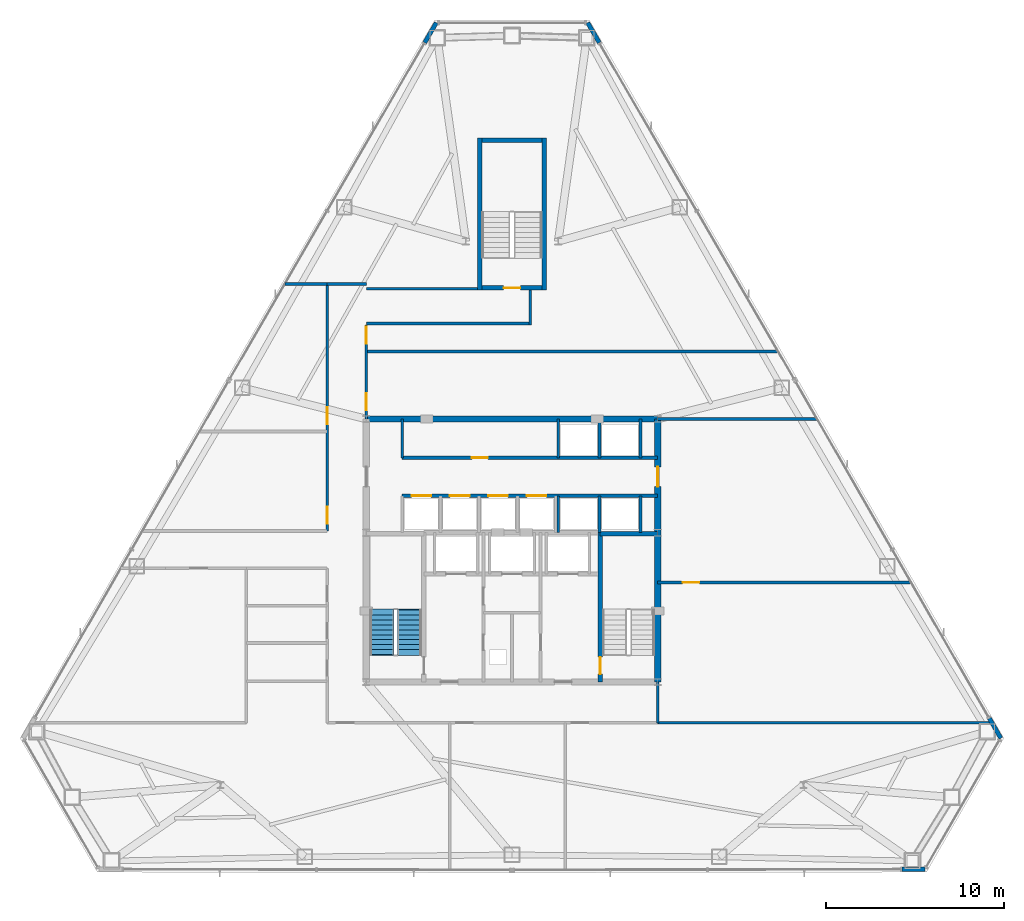
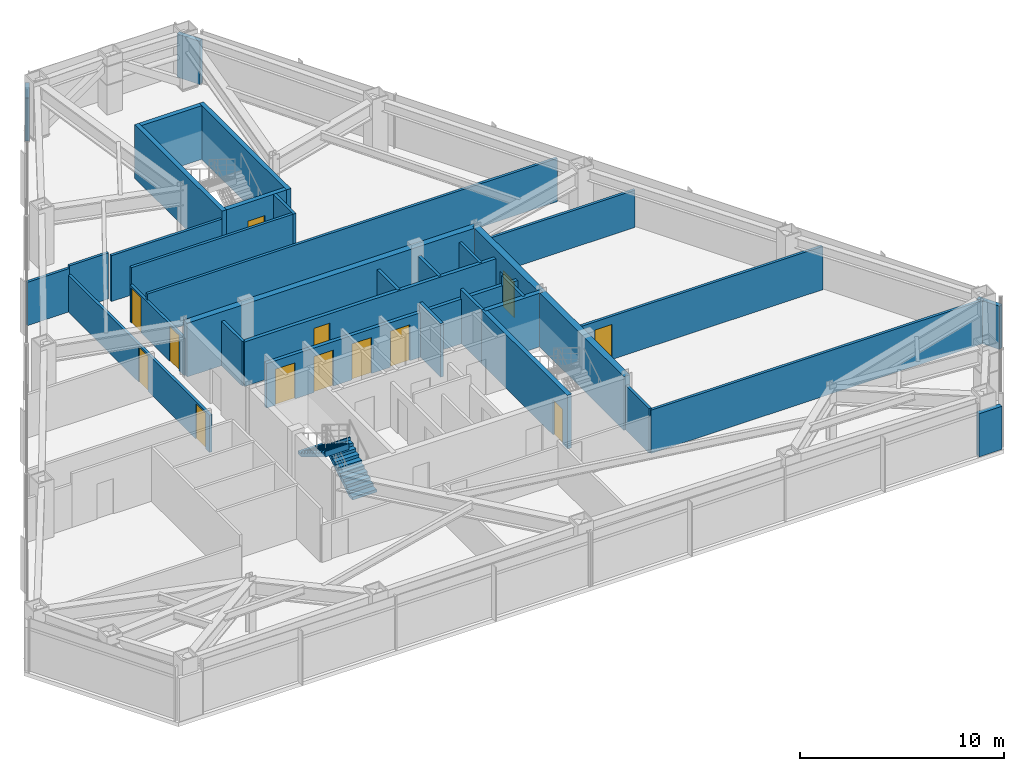
# One storey, part 11 of 13: 33 walls, 13 doors, 2 stair flights, 13 openings, 1 element without a shape of its own.
"""IFC4 building model written with IfcOpenShell, lengths in metres."""

from ifc_helpers import new_model, si_unit, direction, frame, frame_2d, origin, place, context, subcontext, project, spatial, polyline, rectangle, outline, extrude, material, layer, layer_set, type_object, element, fill, aggregate, save


model = new_model("IFC4")

# Units and contexts
model_context = context("Model", 3, precision=1e-05, world=origin(), true_north=direction((0.0, 1.0)))
body_context = subcontext(model_context, "Body", "Model", "MODEL_VIEW")
ifc_project = project(units=[si_unit("LENGTHUNIT", "METRE"), si_unit("AREAUNIT", "SQUARE_METRE"), si_unit("VOLUMEUNIT", "CUBIC_METRE"), si_unit("PLANEANGLEUNIT", "RADIAN"), si_unit("MASSUNIT", "GRAM", prefix="KILO")], contexts=[model_context])

# Site, building, storey
site_placement = place(None, origin())
site = spatial("IfcSite", under=ifc_project, at=site_placement, CompositionType="ELEMENT")
building_placement = place(site_placement, origin())
building = spatial("IfcBuilding", under=site, at=building_placement, Name="Varakhsha Concourse Tower", CompositionType="ELEMENT")
storey_placement = place(building_placement, frame((0.0, 0.0, 126.35009765625)))
storey = spatial("IfcBuildingStorey", under=building, at=storey_placement, Name="L36", CompositionType="ELEMENT", Elevation=126.35009765625)

# Wall
ifc_material_1 = material(Name="Concrete fc 65 MPa", Category="concrete")
ifc_layer_1 = layer(ifc_material_1, 0.35009765625, Name="WL-CORE-350")
ifc_layer_set_1 = layer_set([ifc_layer_1], Name="Concrete fc 65 MPa")
wall_type_1 = type_object("IfcWallType", Name="WL-CORE-350", PredefinedType="SHEAR", material=ifc_layer_set_1)
wall_1_placement = place(storey_placement, frame((31.800048828125, 31.199951171875, 0.0), z_axis=(0.0, 0.0, 1.0), x_axis=(1.0, 0.0, 0.0)))
element("IfcWall", 1, at=wall_1_placement, inside=storey, type_object=wall_type_1, Name="L36 Wall CWALL-N-L36", PredefinedType="SHEAR", context=body_context, shape_type="SweptSolid", body=[
    extrude(rectangle(XDim=16.39990234375, YDim=0.35009765625, at=frame_2d((8.199951171875, 0.0))), origin(), (0.0, 0.0, 1.0), 3.2099609375),
])

# Wall, opening, door
wall_2_placement = place(storey_placement, frame((48.199951171875, 16.39990234375, 0.0), z_axis=(0.0, 0.0, 1.0), x_axis=(0.0, 1.0, 0.0)))
wall_2 = element("IfcWall", 2, at=wall_2_placement, inside=storey, type_object=wall_type_1, Name="L36 Wall CWALL-E-L36", PredefinedType="SHEAR", context=body_context, shape_type="SweptSolid", body=[
    extrude(rectangle(XDim=14.800048828125, YDim=0.35009765625, at=frame_2d((7.39990234375, 0.0))), origin(), (0.0, 0.0, 1.0), 3.2099609375),
])
opening_1_placement = place(wall_2_placement, frame((11.0, 0.0, 0.0)))
opening_1 = element("IfcOpeningElement", 3, at=opening_1_placement, cuts=wall_2, Name="Opening DL-01", PredefinedType="OPENING", context=body_context, shape_type="SweptSolid", body=[
    extrude(rectangle(XDim=1.10009765625, YDim=2.14990234375, at=frame_2d((0.550048828125, 1.074951171875))), frame((0.0, 0.18505859375, 0.0), z_axis=(0.0, -1.0, 0.0), x_axis=(1.0, 0.0, 0.0)), (0.0, 0.0, 1.0), 0.3701171875),
])
ifc_material_2 = material(Name="Anodised Bronze Architectural Aluminium AA 6063-T6", Category="aluminium")
door_type_1 = type_object("IfcDoorType", Name="DR-LOB-1100", OperationType="NOTDEFINED", PredefinedType="DOOR", material=ifc_material_2)
door_1_placement = place(opening_1_placement, origin())
door_1 = element("IfcDoor", 4, at=door_1_placement, inside=storey, type_object=door_type_1, Name="L36 Lift Lobby East Concourse Door", OperationType="SINGLE_SWING_RIGHT", OverallHeight=2.14990234375, OverallWidth=1.10009765625, PredefinedType="DOOR", context=body_context, shape_type="SweptSolid", body=[
    extrude(rectangle(XDim=1.10009765625, YDim=2.14990234375, at=frame_2d((0.550048828125, 1.074951171875))), frame((0.0, 0.02490234375, 0.0), z_axis=(0.0, -1.0, 0.0), x_axis=(1.0, 0.0, 0.0)), (0.0, 0.0, 1.0), 0.050048828125),
])
fill(opening_1, door_1)

# Walls
ifc_material_3 = material(Name="Concrete fc 45 MPa", Category="concrete")
ifc_layer_2 = layer(ifc_material_3, 0.239990234375, Name="WL-EXT-CRN-240")
ifc_layer_set_2 = layer_set([ifc_layer_2], Name="Concrete fc 45 MPa")
wall_type_2 = type_object("IfcWallType", Name="WL-EXT-CRN-240", PredefinedType="SHEAR", material=ifc_layer_set_2)
wall_3_placement = place(storey_placement, frame((35.74072265625, 53.5029296875, 0.0), z_axis=(0.0, 0.0, 1.0), x_axis=(-0.501501953854, -0.865156512014, 0.0)))
element("IfcWall", 5, at=wall_3_placement, inside=storey, type_object=wall_type_2, Name="L36 Wind-Corner Shoulder Wall F2", PredefinedType="SHEAR", context=body_context, shape_type="SweptSolid", body=[
    extrude(rectangle(XDim=1.3017578125, YDim=0.239990234375, at=frame_2d((0.65087890625, 0.0))), origin(), (0.0, 0.0, 1.0), 2.5830078125),
])
wall_4_placement = place(storey_placement, frame((61.94580078125, 5.857666015625, 0.0), z_axis=(0.0, 0.0, 1.0), x_axis=(0.999998574928, 0.001688236199, 0.0)))
element("IfcWall", 6, at=wall_4_placement, inside=storey, type_object=wall_type_2, Name="L36 Wind-Corner Shoulder Wall F6", PredefinedType="SHEAR", context=body_context, shape_type="SweptSolid", body=[
    extrude(rectangle(XDim=1.301513671875, YDim=0.239990234375, at=frame_2d((0.65087890625, 0.0))), origin(), (0.0, 0.0, 1.0), 2.5830078125),
])
wall_5_placement = place(storey_placement, frame((67.506591796875, 13.2373046875, 0.0), z_axis=(0.0, 0.0, 1.0), x_axis=(-0.498460550087, 0.86691238312, 0.0)))
element("IfcWall", 7, at=wall_5_placement, inside=storey, type_object=wall_type_2, Name="L36 Wind-Corner Shoulder Wall F8", PredefinedType="SHEAR", context=body_context, shape_type="SweptSolid", body=[
    extrude(rectangle(XDim=1.30126953125, YDim=0.239990234375, at=frame_2d((0.650634765625, 0.0))), origin(), (0.0, 0.0, 1.0), 2.5830078125),
])
wall_6_placement = place(storey_placement, frame((44.912109375, 52.376708984375, 0.0), z_axis=(0.0, 0.0, 1.0), x_axis=(-0.501501953854, 0.865156512014, 0.0)))
element("IfcWall", 8, at=wall_6_placement, inside=storey, type_object=wall_type_2, Name="L36 Wind-Corner Shoulder Wall F9", PredefinedType="SHEAR", context=body_context, shape_type="SweptSolid", body=[
    extrude(rectangle(XDim=1.3017578125, YDim=0.239990234375, at=frame_2d((0.65087890625, 0.0))), origin(), (0.0, 0.0, 1.0), 2.5830078125),
])
ifc_material_4 = material(Name="Fire-Rated Type X Gypsum Partition Assembly", Category="gypsum")
ifc_layer_3 = layer(ifc_material_4, 0.14990234375, Name="WL-PART-150")
ifc_layer_set_3 = layer_set([ifc_layer_3], Name="Fire-Rated Type X Gypsum Partition Assembly")
wall_type_3 = type_object("IfcWallType", Name="WL-PART-150", PredefinedType="PARTITIONING", material=ifc_layer_set_3)
wall_7_placement = place(storey_placement, frame((48.199951171875, 14.10009765625, 0.0), z_axis=(0.0, 0.0, 1.0), x_axis=(0.0, 1.0, 0.0)))
element("IfcWall", 9, at=wall_7_placement, inside=storey, type_object=wall_type_3, Name="L36 Wall CRW-SE-L36", PredefinedType="PARTITIONING", context=body_context, shape_type="SweptSolid", body=[
    extrude(rectangle(XDim=2.2998046875, YDim=0.14990234375, at=frame_2d((1.14990234375, 0.0))), origin(), (0.0, 0.0, 1.0), 2.660888671875),
])

# Wall, openings, doors
wall_8_placement = place(storey_placement, frame((29.60009765625, 24.89990234375, 0.0), z_axis=(0.0, 0.0, 1.0), x_axis=(0.0, 1.0, 0.0)))
wall_8 = element("IfcWall", 10, at=wall_8_placement, inside=storey, type_object=wall_type_3, Name="L36 Wall CRW-WN-L36", PredefinedType="PARTITIONING", context=body_context, shape_type="SweptSolid", body=[
    extrude(rectangle(XDim=13.900146484375, YDim=0.14990234375, at=frame_2d((6.9501953125, 0.0))), origin(), (0.0, 0.0, 1.0), 2.224853515625),
])
opening_2_placement = place(wall_8_placement, frame((0.39990234375, 0.0, 0.0)))
opening_2 = element("IfcOpeningElement", 11, at=opening_2_placement, cuts=wall_8, Name="Opening DF-05", PredefinedType="OPENING", context=body_context, shape_type="SweptSolid", body=[
    extrude(rectangle(XDim=0.949951171875, YDim=2.10009765625, at=frame_2d((0.47509765625, 1.050048828125))), frame((0.0, 0.0849609375, 0.0), z_axis=(0.0, -1.0, 0.0), x_axis=(1.0, 0.0, 0.0)), (0.0, 0.0, 1.0), 0.169921875),
])
opening_3_placement = place(wall_8_placement, frame((6.0, 0.0, 0.0)))
opening_3 = element("IfcOpeningElement", 12, at=opening_3_placement, cuts=wall_8, Name="Opening DF-05", PredefinedType="OPENING", context=body_context, shape_type="SweptSolid", body=[
    extrude(rectangle(XDim=0.949951171875, YDim=2.10009765625, at=frame_2d((0.47509765625, 1.050048828125))), frame((0.0, 0.0849609375, 0.0), z_axis=(0.0, -1.0, 0.0), x_axis=(1.0, 0.0, 0.0)), (0.0, 0.0, 1.0), 0.169921875),
])
ifc_material_5 = material(Name="Hollow Galvanised Steel Fire Door Assembly", Category="steel")
door_type_2 = type_object("IfcDoorType", Name="DR-FD60-950", OperationType="NOTDEFINED", PredefinedType="DOOR", material=ifc_material_5)
door_2_placement = place(opening_2_placement, origin())
door_2 = element("IfcDoor", 13, at=door_2_placement, inside=storey, type_object=door_type_2, Name="L36 Client Briefing Studio L36-NW Door", OperationType="SINGLE_SWING_RIGHT", OverallHeight=2.10009765625, OverallWidth=0.949951171875, PredefinedType="DOOR", context=body_context, shape_type="SweptSolid", body=[
    extrude(rectangle(XDim=0.949951171875, YDim=2.10009765625, at=frame_2d((0.47509765625, 1.050048828125))), frame((0.0, 0.02490234375, 0.0), z_axis=(0.0, -1.0, 0.0), x_axis=(1.0, 0.0, 0.0)), (0.0, 0.0, 1.0), 0.050048828125),
])
fill(opening_2, door_2)
door_3_placement = place(opening_3_placement, origin())
door_3 = element("IfcDoor", 14, at=door_3_placement, inside=storey, type_object=door_type_2, Name="L36 Strategic Advisory Office Suite L36-W2 Door", OperationType="SINGLE_SWING_LEFT", OverallHeight=2.10009765625, OverallWidth=0.949951171875, PredefinedType="DOOR", context=body_context, shape_type="SweptSolid", body=[
    extrude(rectangle(XDim=0.949951171875, YDim=2.10009765625, at=frame_2d((0.47509765625, 1.050048828125))), frame((0.0, 0.02490234375, 0.0), z_axis=(0.0, -1.0, 0.0), x_axis=(1.0, 0.0, 0.0)), (0.0, 0.0, 1.0), 0.050048828125),
])
fill(opening_3, door_3)

wall_9_placement = place(storey_placement, frame((31.800048828125, 31.199951171875, 0.0), z_axis=(0.0, 0.0, 1.0), x_axis=(0.0, 1.0, 0.0)))
wall_9 = element("IfcWall", 15, at=wall_9_placement, inside=storey, type_object=wall_type_3, Name="L36 Wall CRW-NE-L36", PredefinedType="PARTITIONING", context=body_context, shape_type="SweptSolid", body=[
    extrude(rectangle(XDim=5.300048828125, YDim=0.14990234375, at=frame_2d((2.64990234375, 0.0))), origin(), (0.0, 0.0, 1.0), 2.224853515625),
])
opening_4_placement = place(wall_9_placement, frame((0.5, 0.0, 0.0)))
opening_4 = element("IfcOpeningElement", 16, at=opening_4_placement, cuts=wall_9, Name="Opening DF-05", PredefinedType="OPENING", context=body_context, shape_type="SweptSolid", body=[
    extrude(rectangle(XDim=0.949951171875, YDim=2.10009765625, at=frame_2d((0.47509765625, 1.050048828125))), frame((0.0, 0.0849609375, 0.0), z_axis=(0.0, -1.0, 0.0), x_axis=(1.0, 0.0, 0.0)), (0.0, 0.0, 1.0), 0.169921875),
])
opening_5_placement = place(wall_9_placement, frame((4.22998046875, 0.0, 0.0)))
opening_5 = element("IfcOpeningElement", 17, at=opening_5_placement, cuts=wall_9, Name="Opening DF-05", PredefinedType="OPENING", context=body_context, shape_type="SweptSolid", body=[
    extrude(rectangle(XDim=0.949951171875, YDim=2.10009765625, at=frame_2d((0.47509765625, 1.050048828125))), frame((0.0, 0.0849609375, 0.0), z_axis=(0.0, -1.0, 0.0), x_axis=(1.0, 0.0, 0.0)), (0.0, 0.0, 1.0), 0.169921875),
])
door_4_placement = place(opening_4_placement, origin())
door_4 = element("IfcDoor", 18, at=door_4_placement, inside=storey, type_object=door_type_2, Name="L36 Mountain View Project Controls Workroom L36-NE1 Door", OperationType="SINGLE_SWING_RIGHT", OverallHeight=2.10009765625, OverallWidth=0.949951171875, PredefinedType="DOOR", context=body_context, shape_type="SweptSolid", body=[
    extrude(rectangle(XDim=0.949951171875, YDim=2.10009765625, at=frame_2d((0.47509765625, 1.050048828125))), frame((0.0, 0.02490234375, 0.0), z_axis=(0.0, -1.0, 0.0), x_axis=(1.0, 0.0, 0.0)), (0.0, 0.0, 1.0), 0.050048828125),
])
fill(opening_4, door_4)
door_5_placement = place(opening_5_placement, origin())
door_5 = element("IfcDoor", 19, at=door_5_placement, inside=storey, type_object=door_type_2, Name="L36 Apex Strategic Advisory Office Suite L36-NE2 Door", OperationType="SINGLE_SWING_RIGHT", OverallHeight=2.10009765625, OverallWidth=0.949951171875, PredefinedType="DOOR", context=body_context, shape_type="SweptSolid", body=[
    extrude(rectangle(XDim=0.949951171875, YDim=2.10009765625, at=frame_2d((0.47509765625, 1.050048828125))), frame((0.0, 0.02490234375, 0.0), z_axis=(0.0, -1.0, 0.0), x_axis=(1.0, 0.0, 0.0)), (0.0, 0.0, 1.0), 0.050048828125),
])
fill(opening_5, door_5)

# Walls
wall_10_placement = place(storey_placement, frame((29.60009765625, 38.800048828125, 0.0), z_axis=(0.0, 0.0, 1.0), x_axis=(1.0, 0.0, 0.0)))
element("IfcWall", 20, at=wall_10_placement, inside=storey, type_object=wall_type_3, Name="L36 Wall CRW-NCAP-L36", PredefinedType="PARTITIONING", context=body_context, shape_type="SweptSolid", body=[
    extrude(rectangle(XDim=2.199951171875, YDim=0.14990234375, at=frame_2d((1.10009765625, 0.0))), origin(), (0.0, 0.0, 1.0), 2.742919921875),
])
wall_11_placement = place(storey_placement, frame((27.223388671875, 38.800048828125, 0.0), z_axis=(0.0, 0.0, 1.0), x_axis=(1.0, 0.0, 0.0)))
element("IfcWall", 21, at=wall_11_placement, inside=storey, type_object=wall_type_3, Name="L36 Wall ODIV-NWT-L36", PredefinedType="PARTITIONING", context=body_context, shape_type="SweptSolid", body=[
    extrude(rectangle(XDim=2.376708984375, YDim=0.14990234375, at=frame_2d((1.1884765625, 0.0))), origin(), (0.0, 0.0, 1.0), 2.5888671875),
])
wall_12_placement = place(storey_placement, frame((48.199951171875, 31.199951171875, 0.0), z_axis=(0.0, 0.0, 1.0), x_axis=(1.0, 0.0, 0.0)))
element("IfcWall", 22, at=wall_12_placement, inside=storey, type_object=wall_type_3, Name="L36 Wall ODIV-NEB-L36", PredefinedType="PARTITIONING", context=body_context, shape_type="SweptSolid", body=[
    extrude(rectangle(XDim=8.971923828125, YDim=0.14990234375, at=frame_2d((4.48583984375, 0.0))), origin(), (0.0, 0.0, 1.0), 2.224853515625),
])
wall_13_placement = place(storey_placement, frame((31.800048828125, 35.0, 0.0), z_axis=(0.0, 0.0, 1.0), x_axis=(1.0, 0.0, 0.0)))
element("IfcWall", 23, at=wall_13_placement, inside=storey, type_object=wall_type_3, Name="L36 Wall ODIV-NE1-L36", PredefinedType="PARTITIONING", context=body_context, shape_type="SweptSolid", body=[
    extrude(rectangle(XDim=23.17919921875, YDim=0.14990234375, at=frame_2d((11.589599609375, 0.0))), origin(), (0.0, 0.0, 1.0), 2.5888671875),
])
wall_14_placement = place(storey_placement, frame((48.199951171875, 14.10009765625, 0.0), z_axis=(0.0, 0.0, 1.0), x_axis=(1.0, 0.0, 0.0)))
element("IfcWall", 24, at=wall_14_placement, inside=storey, type_object=wall_type_3, Name="L36 Wall ODIV-EB0-L36", PredefinedType="PARTITIONING", context=body_context, shape_type="SweptSolid", body=[
    extrude(rectangle(XDim=18.804931640625, YDim=0.14990234375, at=frame_2d((9.40234375, 0.0))), origin(), (0.0, 0.0, 1.0), 2.5888671875),
])

# Wall, opening, door
wall_15_placement = place(storey_placement, frame((48.199951171875, 22.0, 0.0), z_axis=(0.0, 0.0, 1.0), x_axis=(1.0, 0.0, 0.0)))
wall_15 = element("IfcWall", 25, at=wall_15_placement, inside=storey, type_object=wall_type_3, Name="L36 Wall ODIV-E1-L36", PredefinedType="PARTITIONING", context=body_context, shape_type="SweptSolid", body=[
    extrude(rectangle(XDim=14.26220703125, YDim=0.14990234375, at=frame_2d((7.131103515625, 0.0))), origin(), (0.0, 0.0, 1.0), 2.5888671875),
])
opening_6_placement = place(wall_15_placement, frame((1.39990234375, 0.0, 0.0)))
opening_6 = element("IfcOpeningElement", 26, at=opening_6_placement, cuts=wall_15, Name="Opening DF-05", PredefinedType="OPENING", context=body_context, shape_type="SweptSolid", body=[
    extrude(rectangle(XDim=0.949951171875, YDim=2.10009765625, at=frame_2d((0.47509765625, 1.050048828125))), frame((0.0, 0.0849609375, 0.0), z_axis=(0.0, -1.0, 0.0), x_axis=(1.0, 0.0, 0.0)), (0.0, 0.0, 1.0), 0.169921875),
])
door_6_placement = place(opening_6_placement, origin())
door_6 = element("IfcDoor", 27, at=door_6_placement, inside=storey, type_object=door_type_2, Name="L36 East Suite Interconnect Door 1", OperationType="SINGLE_SWING_LEFT", OverallHeight=2.10009765625, OverallWidth=0.949951171875, PredefinedType="DOOR", context=body_context, shape_type="SweptSolid", body=[
    extrude(rectangle(XDim=0.949951171875, YDim=2.10009765625, at=frame_2d((0.47509765625, 1.050048828125))), frame((0.0, 0.02490234375, 0.0), z_axis=(0.0, -1.0, 0.0), x_axis=(1.0, 0.0, 0.0)), (0.0, 0.0, 1.0), 0.050048828125),
])
fill(opening_6, door_6)

# Walls
wall_16_placement = place(storey_placement, frame((31.800048828125, 36.574951171875, 0.0), z_axis=(0.0, 0.0, 1.0), x_axis=(1.0, 0.0, 0.0)))
element("IfcWall", 28, at=wall_16_placement, inside=storey, type_object=wall_type_3, Name="L36 Wall STLK-S-L36", PredefinedType="PARTITIONING", context=body_context, shape_type="SweptSolid", body=[
    extrude(rectangle(XDim=9.14990234375, YDim=0.14990234375, at=frame_2d((4.574951171875, 0.0))), origin(), (0.0, 0.0, 1.0), 3.2099609375),
])
wall_17_placement = place(storey_placement, frame((31.800048828125, 38.52490234375, 0.0), z_axis=(0.0, 0.0, 1.0), x_axis=(1.0, 0.0, 0.0)))
element("IfcWall", 29, at=wall_17_placement, inside=storey, type_object=wall_type_3, Name="L36 Wall STLK-N-L36", PredefinedType="PARTITIONING", context=body_context, shape_type="SweptSolid", body=[
    extrude(rectangle(XDim=6.25, YDim=0.14990234375, at=frame_2d((3.125, 0.0))), origin(), (0.0, 0.0, 1.0), 2.742919921875),
])
wall_18_placement = place(storey_placement, frame((41.02490234375, 36.5, 0.0), z_axis=(0.0, 0.0, 1.0), x_axis=(0.0, 1.0, 0.0)))
element("IfcWall", 30, at=wall_18_placement, inside=storey, type_object=wall_type_3, Name="L36 Wall STLK-E-L36", PredefinedType="PARTITIONING", context=body_context, shape_type="SweptSolid", body=[
    extrude(rectangle(XDim=1.949951171875, YDim=0.14990234375, at=frame_2d((0.97509765625, 0.0))), origin(), (0.0, 0.0, 1.0), 3.2099609375),
])

# Wall, opening, door
ifc_layer_4 = layer(ifc_material_4, 0.199951171875, Name="WL-SHAFT-220")
ifc_layer_set_4 = layer_set([ifc_layer_4], Name="Fire-Rated Type X Gypsum Partition Assembly")
wall_type_4 = type_object("IfcWallType", Name="WL-SHAFT-220", PredefinedType="SOLIDWALL", material=ifc_layer_set_4)
wall_19_placement = place(storey_placement, frame((33.820068359375, 29.02001953125, 0.0), z_axis=(0.0, 0.0, 1.0), x_axis=(1.0, 0.0, 0.0)))
wall_19 = element("IfcWall", 31, at=wall_19_placement, inside=storey, type_object=wall_type_4, Name="L36 Wall PLW-N-L36", PredefinedType="SOLIDWALL", context=body_context, shape_type="SweptSolid", body=[
    extrude(rectangle(XDim=14.3798828125, YDim=0.199951171875, at=frame_2d((7.18994140625, 0.0))), origin(), (0.0, 0.0, 1.0), 2.660888671875),
])
opening_7_placement = place(wall_19_placement, frame((3.919921875, 0.0, 0.0)))
opening_7 = element("IfcOpeningElement", 32, at=opening_7_placement, cuts=wall_19, Name="Opening DF-06", PredefinedType="OPENING", context=body_context, shape_type="SweptSolid", body=[
    extrude(rectangle(XDim=0.89990234375, YDim=2.10009765625, at=frame_2d((0.449951171875, 1.050048828125))), frame((0.0, 0.10986328125, 0.0), z_axis=(0.0, -1.0, 0.0), x_axis=(1.0, 0.0, 0.0)), (0.0, 0.0, 1.0), 0.219970703125),
])
door_type_3 = type_object("IfcDoorType", Name="DR-FD60-900", OperationType="NOTDEFINED", PredefinedType="DOOR", material=ifc_material_5)
door_7_placement = place(opening_7_placement, origin())
door_7 = element("IfcDoor", 33, at=door_7_placement, inside=storey, type_object=door_type_3, Name="L36 Tenant Archive and IT Server Room Door", OperationType="SINGLE_SWING_LEFT", OverallHeight=2.10009765625, OverallWidth=0.89990234375, PredefinedType="DOOR", context=body_context, shape_type="SweptSolid", body=[
    extrude(rectangle(XDim=0.89990234375, YDim=2.10009765625, at=frame_2d((0.449951171875, 1.050048828125))), frame((0.0, 0.02490234375, 0.0), z_axis=(0.0, -1.0, 0.0), x_axis=(1.0, 0.0, 0.0)), (0.0, 0.0, 1.0), 0.050048828125),
])
fill(opening_7, door_7)

# Wall, openings, doors
wall_20_placement = place(storey_placement, frame((33.820068359375, 26.8798828125, 0.0), z_axis=(0.0, 0.0, 1.0), x_axis=(1.0, 0.0, 0.0)))
wall_20 = element("IfcWall", 34, at=wall_20_placement, inside=storey, type_object=wall_type_4, Name="L36 Wall PLW-S-L36", PredefinedType="SOLIDWALL", context=body_context, shape_type="SweptSolid", body=[
    extrude(rectangle(XDim=14.3798828125, YDim=0.199951171875, at=frame_2d((7.18994140625, 0.0))), origin(), (0.0, 0.0, 1.0), 2.660888671875),
])
opening_8_placement = place(wall_20_placement, frame((0.530029296875, 0.0, 0.0)))
opening_8 = element("IfcOpeningElement", 35, at=opening_8_placement, cuts=wall_20, Name="Opening LD-LF-P05", PredefinedType="OPENING", context=body_context, shape_type="SweptSolid", body=[
    extrude(rectangle(XDim=1.10009765625, YDim=2.14990234375, at=frame_2d((0.550048828125, 1.074951171875))), frame((0.0, 0.10986328125, 0.0), z_axis=(0.0, -1.0, 0.0), x_axis=(1.0, 0.0, 0.0)), (0.0, 0.0, 1.0), 0.219970703125),
])
opening_9_placement = place(wall_20_placement, frame((2.68994140625, 0.0, 0.0)))
opening_9 = element("IfcOpeningElement", 36, at=opening_9_placement, cuts=wall_20, Name="Opening LD-LF-P06", PredefinedType="OPENING", context=body_context, shape_type="SweptSolid", body=[
    extrude(rectangle(XDim=1.10009765625, YDim=2.14990234375, at=frame_2d((0.550048828125, 1.074951171875))), frame((0.0, 0.10986328125, 0.0), z_axis=(0.0, -1.0, 0.0), x_axis=(1.0, 0.0, 0.0)), (0.0, 0.0, 1.0), 0.219970703125),
])
opening_10_placement = place(wall_20_placement, frame((4.85009765625, 0.0, 0.0)))
opening_10 = element("IfcOpeningElement", 37, at=opening_10_placement, cuts=wall_20, Name="Opening LD-LF-P07", PredefinedType="OPENING", context=body_context, shape_type="SweptSolid", body=[
    extrude(rectangle(XDim=1.10009765625, YDim=2.14990234375, at=frame_2d((0.550048828125, 1.074951171875))), frame((0.0, 0.10986328125, 0.0), z_axis=(0.0, -1.0, 0.0), x_axis=(1.0, 0.0, 0.0)), (0.0, 0.0, 1.0), 0.219970703125),
])
opening_11_placement = place(wall_20_placement, frame((7.010009765625, 0.0, 0.0)))
opening_11 = element("IfcOpeningElement", 38, at=opening_11_placement, cuts=wall_20, Name="Opening LD-LF-P08", PredefinedType="OPENING", context=body_context, shape_type="SweptSolid", body=[
    extrude(rectangle(XDim=1.10009765625, YDim=2.14990234375, at=frame_2d((0.550048828125, 1.074951171875))), frame((0.0, 0.10986328125, 0.0), z_axis=(0.0, -1.0, 0.0), x_axis=(1.0, 0.0, 0.0)), (0.0, 0.0, 1.0), 0.219970703125),
])
ifc_material_6 = material(Name="Brushed Austenitic Stainless Steel AISI 316", Category="steel")
door_type_4 = type_object("IfcDoorType", Name="DR-LD-1100", OperationType="DOUBLE_DOOR_SLIDING", PredefinedType="DOOR", material=ifc_material_6)
door_8_placement = place(opening_8_placement, origin())
door_8 = element("IfcDoor", 39, at=door_8_placement, inside=storey, type_object=door_type_4, Name="Lift Landing Door LF-P05 L36", OperationType="DOUBLE_DOOR_SLIDING", OverallHeight=2.14990234375, OverallWidth=1.10009765625, PredefinedType="DOOR", context=body_context, shape_type="SweptSolid", body=[
    extrude(rectangle(XDim=1.10009765625, YDim=2.14990234375, at=frame_2d((0.550048828125, 1.074951171875))), frame((0.0, 0.02490234375, 0.0), z_axis=(0.0, -1.0, 0.0), x_axis=(1.0, 0.0, 0.0)), (0.0, 0.0, 1.0), 0.050048828125),
])
fill(opening_8, door_8)
door_9_placement = place(opening_9_placement, origin())
door_9 = element("IfcDoor", 40, at=door_9_placement, inside=storey, type_object=door_type_4, Name="Lift Landing Door LF-P06 L36", OperationType="DOUBLE_DOOR_SLIDING", OverallHeight=2.14990234375, OverallWidth=1.10009765625, PredefinedType="DOOR", context=body_context, shape_type="SweptSolid", body=[
    extrude(rectangle(XDim=1.10009765625, YDim=2.14990234375, at=frame_2d((0.550048828125, 1.074951171875))), frame((0.0, 0.02490234375, 0.0), z_axis=(0.0, -1.0, 0.0), x_axis=(1.0, 0.0, 0.0)), (0.0, 0.0, 1.0), 0.050048828125),
])
fill(opening_9, door_9)
door_10_placement = place(opening_10_placement, origin())
door_10 = element("IfcDoor", 41, at=door_10_placement, inside=storey, type_object=door_type_4, Name="Lift Landing Door LF-P07 L36", OperationType="DOUBLE_DOOR_SLIDING", OverallHeight=2.14990234375, OverallWidth=1.10009765625, PredefinedType="DOOR", context=body_context, shape_type="SweptSolid", body=[
    extrude(rectangle(XDim=1.10009765625, YDim=2.14990234375, at=frame_2d((0.550048828125, 1.074951171875))), frame((0.0, 0.02490234375, 0.0), z_axis=(0.0, -1.0, 0.0), x_axis=(1.0, 0.0, 0.0)), (0.0, 0.0, 1.0), 0.050048828125),
])
fill(opening_10, door_10)
door_11_placement = place(opening_11_placement, origin())
door_11 = element("IfcDoor", 42, at=door_11_placement, inside=storey, type_object=door_type_4, Name="Lift Landing Door LF-P08 L36", OperationType="DOUBLE_DOOR_SLIDING", OverallHeight=2.14990234375, OverallWidth=1.10009765625, PredefinedType="DOOR", context=body_context, shape_type="SweptSolid", body=[
    extrude(rectangle(XDim=1.10009765625, YDim=2.14990234375, at=frame_2d((0.550048828125, 1.074951171875))), frame((0.0, 0.02490234375, 0.0), z_axis=(0.0, -1.0, 0.0), x_axis=(1.0, 0.0, 0.0)), (0.0, 0.0, 1.0), 0.050048828125),
])
fill(opening_11, door_11)

# Walls
for number, where, z_axis, x_axis, name in (
    (43, (33.820068359375, 29.02001953125, 0.0), (0.0, 0.0, 1.0), (0.0, 1.0, 0.0), "L36 Wall WBOH-E1-L36"),
    (44, (42.60009765625, 29.02001953125, 0.0), (0.0, 0.0, 1.0), (0.0, 1.0, 0.0), "L36 Wall SHW-LF-P09-W-L36"),
    (45, (44.919921875, 29.02001953125, 0.0), (0.0, 0.0, 1.0), (0.0, 1.0, 0.0), "L36 Wall SHW-LF-P09-E-L36"),
    (46, (47.239990234375, 29.02001953125, 0.0), (0.0, 0.0, 1.0), (0.0, 1.0, 0.0), "L36 Wall SHW-LF-P10-E-L36"),
):
    element("IfcWall", number, at=place(storey_placement, frame(where, z_axis=z_axis, x_axis=x_axis)), inside=storey, type_object=wall_type_4, Name=name, PredefinedType="SOLIDWALL", context=body_context, shape_type="SweptSolid", body=[
        extrude(rectangle(XDim=2.179931640625, YDim=0.159912109375, at=frame_2d((1.08984375, 0.0))), origin(), (0.0, 0.0, 1.0), 2.660888671875),
    ])
for number, where, z_axis, x_axis, name in (
    (47, (42.60009765625, 24.800048828125, 0.0), (0.0, 0.0, 1.0), (0.0, 1.0, 0.0), "L36 Wall SHW-LF-P11-W-L36"),
    (48, (44.919921875, 24.800048828125, 0.0), (0.0, 0.0, 1.0), (0.0, 1.0, 0.0), "L36 Wall SHW-LF-P11-E-L36"),
    (49, (47.239990234375, 24.800048828125, 0.0), (0.0, 0.0, 1.0), (0.0, 1.0, 0.0), "L36 Wall SHW-LF-P12-E-L36"),
):
    element("IfcWall", number, at=place(storey_placement, frame(where, z_axis=z_axis, x_axis=x_axis)), inside=storey, type_object=wall_type_4, Name=name, PredefinedType="SOLIDWALL", context=body_context, shape_type="SweptSolid", body=[
        extrude(rectangle(XDim=2.079833984375, YDim=0.159912109375, at=frame_2d((1.0400390625, 0.0))), origin(), (0.0, 0.0, 1.0), 3.2099609375),
    ])

# Wall, opening, door
ifc_layer_5 = layer(ifc_material_3, 0.25, Name="WL-STAIR-250")
ifc_layer_set_5 = layer_set([ifc_layer_5], Name="Concrete fc 45 MPa")
wall_type_5 = type_object("IfcWallType", Name="WL-STAIR-250", PredefinedType="SHEAR", material=ifc_layer_set_5)
wall_21_placement = place(storey_placement, frame((44.955078125, 16.39990234375, 0.0), z_axis=(0.0, 0.0, 1.0), x_axis=(0.0, 1.0, 0.0)))
wall_21 = element("IfcWall", 50, at=wall_21_placement, inside=storey, type_object=wall_type_5, Name="L36 Wall SWALL-ST2-W-L36", PredefinedType="SHEAR", context=body_context, shape_type="SweptSolid", body=[
    extrude(rectangle(XDim=8.400146484375, YDim=0.25, at=frame_2d((4.2001953125, 0.0))), origin(), (0.0, 0.0, 1.0), 3.2099609375),
])
opening_12_placement = place(wall_21_placement, frame((0.449951171875, 0.0, 0.0)))
opening_12 = element("IfcOpeningElement", 51, at=opening_12_placement, cuts=wall_21, Name="Opening DF-03", PredefinedType="OPENING", context=body_context, shape_type="SweptSolid", body=[
    extrude(rectangle(XDim=0.949951171875, YDim=2.10009765625, at=frame_2d((0.47509765625, 1.050048828125))), frame((0.0, 0.135009765625, 0.0), z_axis=(0.0, -1.0, 0.0), x_axis=(1.0, 0.0, 0.0)), (0.0, 0.0, 1.0), 0.27001953125),
])
door_type_5 = type_object("IfcDoorType", Name="DR-FD90-950", OperationType="NOTDEFINED", PredefinedType="DOOR", material=ifc_material_5)
door_12_placement = place(opening_12_placement, origin())
door_12 = element("IfcDoor", 52, at=door_12_placement, inside=storey, type_object=door_type_5, Name="L36 Stair ST2 Fire Door", OperationType="SINGLE_SWING_RIGHT", OverallHeight=2.10009765625, OverallWidth=0.949951171875, PredefinedType="DOOR", context=body_context, shape_type="SweptSolid", body=[
    extrude(rectangle(XDim=0.949951171875, YDim=2.10009765625, at=frame_2d((0.47509765625, 1.050048828125))), frame((0.0, 0.02490234375, 0.0), z_axis=(0.0, -1.0, 0.0), x_axis=(1.0, 0.0, 0.0)), (0.0, 0.0, 1.0), 0.050048828125),
])
fill(opening_12, door_12)

# Walls
wall_22_placement = place(storey_placement, frame((44.955078125, 24.7548828125, 0.0), z_axis=(0.0, 0.0, 1.0), x_axis=(1.0, 0.0, 0.0)))
element("IfcWall", 53, at=wall_22_placement, inside=storey, type_object=wall_type_5, Name="L36 Wall SWALL-ST2-N-L36", PredefinedType="SHEAR", context=body_context, shape_type="SweptSolid", body=[
    extrude(rectangle(XDim=3.244873046875, YDim=0.25, at=frame_2d((1.62255859375, 0.0))), origin(), (0.0, 0.0, 1.0), 3.2099609375),
])
for number, where, z_axis, x_axis, name in (
    (54, (38.175048828125, 38.449951171875, 0.0), (0.0, 0.0, 1.0), (0.0, 1.0, 0.0), "L36 Wall SWALL-ST5-W-L36"),
    (55, (41.824951171875, 38.449951171875, 0.0), (0.0, 0.0, 1.0), (0.0, 1.0, 0.0), "L36 Wall SWALL-ST5-E-L36"),
):
    element("IfcWall", number, at=place(storey_placement, frame(where, z_axis=z_axis, x_axis=x_axis)), inside=storey, type_object=wall_type_5, Name=name, PredefinedType="SHEAR", context=body_context, shape_type="SweptSolid", body=[
        extrude(rectangle(XDim=8.550048828125, YDim=0.25, at=frame_2d((4.27490234375, 0.0))), origin(), (0.0, 0.0, 1.0), 3.2099609375),
    ])

# Wall, opening, door
wall_23_placement = place(storey_placement, frame((38.300048828125, 38.574951171875, 0.0), z_axis=(0.0, 0.0, 1.0), x_axis=(1.0, 0.0, 0.0)))
wall_23 = element("IfcWall", 56, at=wall_23_placement, inside=storey, type_object=wall_type_5, Name="L36 Wall SWALL-ST5-S-L36", PredefinedType="SHEAR", context=body_context, shape_type="SweptSolid", body=[
    extrude(rectangle(XDim=3.39990234375, YDim=0.25, at=frame_2d((1.699951171875, 0.0))), origin(), (0.0, 0.0, 1.0), 3.2099609375),
])
opening_13_placement = place(wall_23_placement, frame((1.22509765625, 0.0, 0.0)))
opening_13 = element("IfcOpeningElement", 57, at=opening_13_placement, cuts=wall_23, Name="Opening DF-03", PredefinedType="OPENING", context=body_context, shape_type="SweptSolid", body=[
    extrude(rectangle(XDim=0.949951171875, YDim=2.10009765625, at=frame_2d((0.47509765625, 1.050048828125))), frame((0.0, 0.135009765625, 0.0), z_axis=(0.0, -1.0, 0.0), x_axis=(1.0, 0.0, 0.0)), (0.0, 0.0, 1.0), 0.27001953125),
])
door_13_placement = place(opening_13_placement, origin())
door_13 = element("IfcDoor", 58, at=door_13_placement, inside=storey, type_object=door_type_5, Name="L36 Stair ST5 Fire Door", OperationType="SINGLE_SWING_RIGHT", OverallHeight=2.10009765625, OverallWidth=0.949951171875, PredefinedType="DOOR", context=body_context, shape_type="SweptSolid", body=[
    extrude(rectangle(XDim=0.949951171875, YDim=2.10009765625, at=frame_2d((0.47509765625, 1.050048828125))), frame((0.0, 0.02490234375, 0.0), z_axis=(0.0, -1.0, 0.0), x_axis=(1.0, 0.0, 0.0)), (0.0, 0.0, 1.0), 0.050048828125),
])
fill(opening_13, door_13)

# Wall
wall_24_placement = place(storey_placement, frame((38.300048828125, 46.875, 0.0), z_axis=(0.0, 0.0, 1.0), x_axis=(1.0, 0.0, 0.0)))
element("IfcWall", 59, at=wall_24_placement, inside=storey, type_object=wall_type_5, Name="L36 Wall SWALL-ST5-N-L36", PredefinedType="SHEAR", context=body_context, shape_type="SweptSolid", body=[
    extrude(rectangle(XDim=3.39990234375, YDim=0.25, at=frame_2d((1.699951171875, 0.0))), origin(), (0.0, 0.0, 1.0), 3.2099609375),
])

# Stair, stair flights
stair_type = type_object("IfcStairType", Name="ST-DOGLEG-1360", PredefinedType="HALF_TURN_STAIR", material=ifc_material_3)
stair_placement = place(storey_placement, origin())
stair = element("IfcStair", 60, at=stair_placement, inside=storey, type_object=stair_type, Name="L36 Protected Exit Stair ST1", PredefinedType="HALF_TURN_STAIR")
stair_flight_type = type_object("IfcStairFlightType", Name="STF-1360-R1725", PredefinedType="STRAIGHT", material=ifc_material_3)
stair_flight_1_placement = place(storey_placement, frame((34.239990234375, 17.93994140625, 0.0), z_axis=(0.0, 0.0, 1.0), x_axis=(0.0, 1.0, 0.0)))
stair_flight_1 = element("IfcStairFlight", 61, at=stair_flight_1_placement, type_object=stair_flight_type, Name="ST1 flight 1", NumberOfRisers=10, NumberOfTreads=9, PredefinedType="STRAIGHT", RiserHeight=0.1725, TreadLength=0.28, context=body_context, shape_type="SweptSolid", body=[
    extrude(outline(polyline([(-0.06005859375, 0.0), (-0.06005859375, 0.172607421875), (0.0, 0.172607421875), (0.280029296875, 0.172607421875), (0.280029296875, 0.344970703125), (0.56005859375, 0.344970703125), (0.56005859375, 0.517578125), (0.840087890625, 0.517578125), (0.840087890625, 0.68994140625), (1.1201171875, 0.68994140625), (1.1201171875, 0.862548828125), (1.39990234375, 0.862548828125), (1.39990234375, 1.034912109375), (1.679931640625, 1.034912109375), (1.679931640625, 1.20751953125), (1.9599609375, 1.20751953125), (1.9599609375, 1.3798828125), (2.239990234375, 1.3798828125), (2.239990234375, 1.552490234375), (2.52001953125, 1.552490234375), (2.52001953125, 1.72509765625), (2.580078125, 1.72509765625), (2.580078125, 1.37646484375), (2.52001953125, 1.37646484375), (0.285888671875, 0.0), (-0.06005859375, 0.0)])), frame((0.0, 0.68017578125, 0.0), z_axis=(0.0, -1.0, 0.0), x_axis=(1.0, 0.0, 0.0)), (0.0, 0.0, 1.0), 1.360107421875),
])
stair_flight_2_placement = place(storey_placement, frame((32.679931640625, 20.4599609375, 1.724853515625), z_axis=(0.0, 0.0, 1.0), x_axis=(0.0, -1.0, 0.0)))
stair_flight_2 = element("IfcStairFlight", 62, at=stair_flight_2_placement, type_object=stair_flight_type, Name="ST1 flight 2", NumberOfRisers=10, NumberOfTreads=9, PredefinedType="STRAIGHT", RiserHeight=0.1725, TreadLength=0.28, context=body_context, shape_type="SweptSolid", body=[
    extrude(outline(polyline([(-0.06005859375, 0.0), (-0.06005859375, 0.172607421875), (0.0, 0.172607421875), (0.280029296875, 0.172607421875), (0.280029296875, 0.344970703125), (0.56005859375, 0.344970703125), (0.56005859375, 0.517578125), (0.840087890625, 0.517578125), (0.840087890625, 0.68994140625), (1.1201171875, 0.68994140625), (1.1201171875, 0.862548828125), (1.39990234375, 0.862548828125), (1.39990234375, 1.034912109375), (1.679931640625, 1.034912109375), (1.679931640625, 1.20751953125), (1.9599609375, 1.20751953125), (1.9599609375, 1.3798828125), (2.239990234375, 1.3798828125), (2.239990234375, 1.552490234375), (2.52001953125, 1.552490234375), (2.52001953125, 1.72509765625), (2.580078125, 1.72509765625), (2.580078125, 1.37646484375), (2.52001953125, 1.37646484375), (0.285888671875, 0.0), (-0.06005859375, 0.0)])), frame((0.0, 0.68017578125, 0.0), z_axis=(0.0, -1.0, 0.0), x_axis=(1.0, 0.0, 0.0)), (0.0, 0.0, 1.0), 1.360107421875),
])
aggregate(stair, [stair_flight_1, stair_flight_2])

save(model, "model.ifc")
